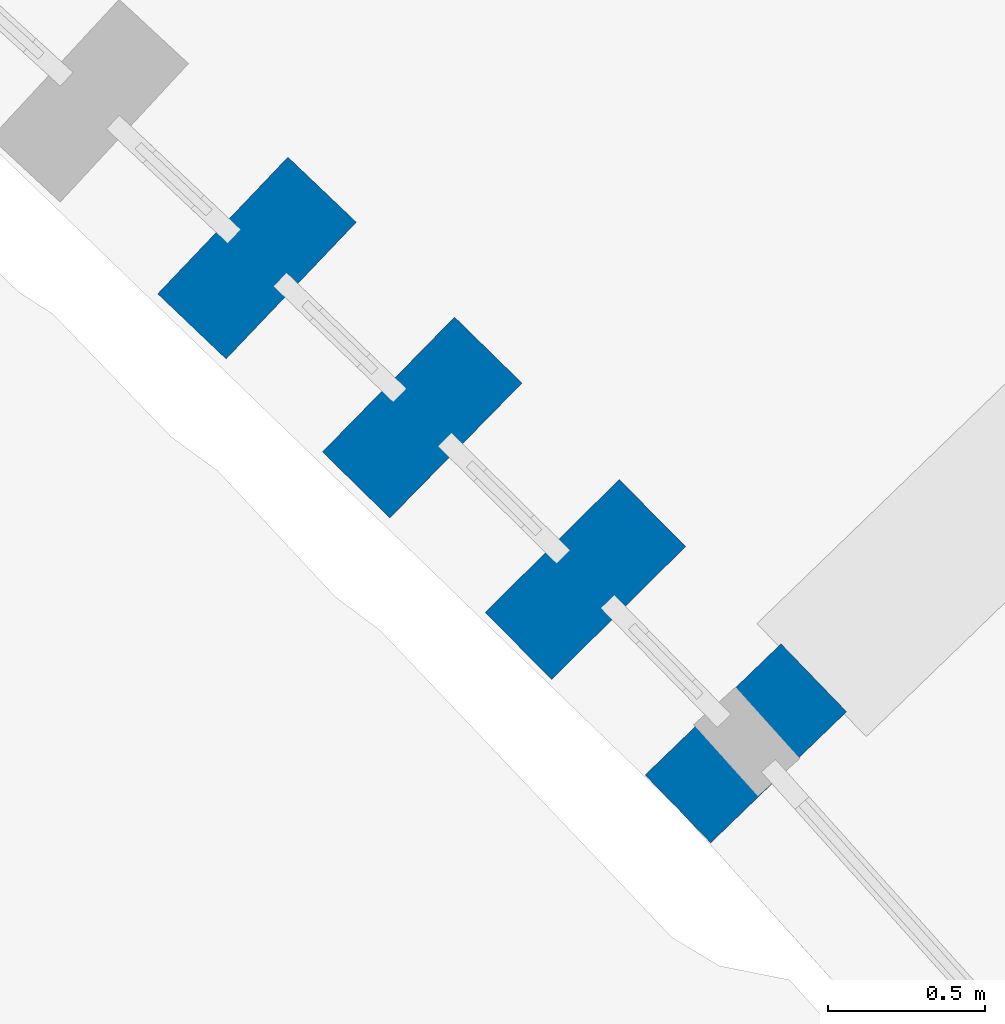
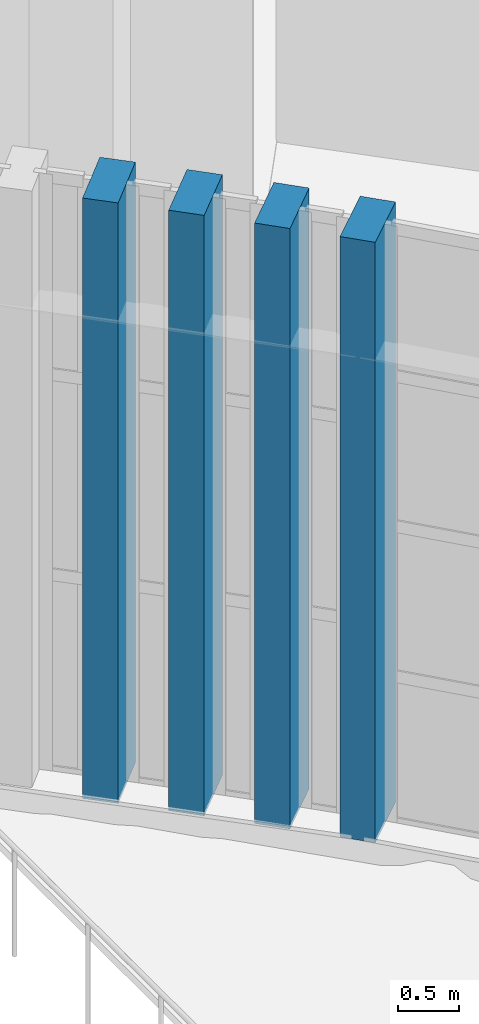
# One storey, part 3 of 155: 4 columns.
"""IFC4 building model written with IfcOpenShell, lengths in metres."""

from ifc_helpers import new_model, si_unit, direction, frame, origin, origin_2d, place, context, subcontext, project, spatial, rectangle, extrude, material, material_profile, profile_set, type_object, element, save


model = new_model("IFC4")

# Units and contexts
model_context = context("Model", 3, precision=1e-05, world=origin(), true_north=direction((0.0, 1.0)))
body_context = subcontext(model_context, "Body", "Model", "MODEL_VIEW")
ifc_project = project(units=[si_unit("LENGTHUNIT", "METRE"), si_unit("AREAUNIT", "SQUARE_METRE"), si_unit("VOLUMEUNIT", "CUBIC_METRE"), si_unit("PLANEANGLEUNIT", "RADIAN"), si_unit("MASSUNIT", "GRAM", prefix="KILO")], contexts=[model_context])

# Site, building, storey
site_placement = place(None, origin())
site = spatial("IfcSite", under=ifc_project, at=site_placement, CompositionType="ELEMENT")
building_placement = place(site_placement, origin())
building = spatial("IfcBuilding", under=site, at=building_placement, Name="Lunette Opera House", CompositionType="ELEMENT")
storey_placement = place(building_placement, origin())
storey = spatial("IfcBuildingStorey", under=building, at=storey_placement, Name="L00", CompositionType="ELEMENT", Elevation=0.0)

# Columns
ifc_material = material(Name="Concrete C40/50", Category="concrete")
ifc_material_profile = material_profile(ifc_material, rectangle(XDim=0.300048828125, YDim=0.60009765625, at=origin_2d()), Name="PIER 300X600")
ifc_profile_set = profile_set([ifc_material_profile], Name="Concrete C40/50")
column_type = type_object("IfcColumnType", Name="PIER 300X600", PredefinedType="COLUMN", material=ifc_profile_set)
for number, where, z_axis, x_axis, name in (
    (1, (132.06689453125, 37.8740234375, 0.0), (0.0, 0.0, 1.0), (0.724171861437, -0.689619543736, 0.0), "col-FC-L00-P085"),
    (2, (132.592041015625, 37.366943359375, 0.0), (0.0, 0.0, 1.0), (0.714472679633, -0.699663340513, 0.0), "col-FC-L00-P086"),
    (3, (133.111083984375, 36.85205078125, 0.0), (0.0, 0.0, 1.0), (0.704634209964, -0.709570736537, 0.0), "col-FC-L00-P087"),
    (4, (133.62109375, 36.3310546875, 0.0), (0.0, 0.0, 1.0), (0.694658370459, -0.719339800339, 0.0), "col-FC-L00-P088"),
):
    element("IfcColumn", number, at=place(storey_placement, frame(where, z_axis=z_axis, x_axis=x_axis)), inside=storey, type_object=column_type, Name=name, PredefinedType="COLUMN", context=body_context, shape_type="SweptSolid", body=[
        extrude(rectangle(XDim=0.300048828125, YDim=0.60009765625, at=origin_2d()), origin(), (0.0, 0.0, 1.0), 6.0),
    ])

save(model, "model.ifc")
